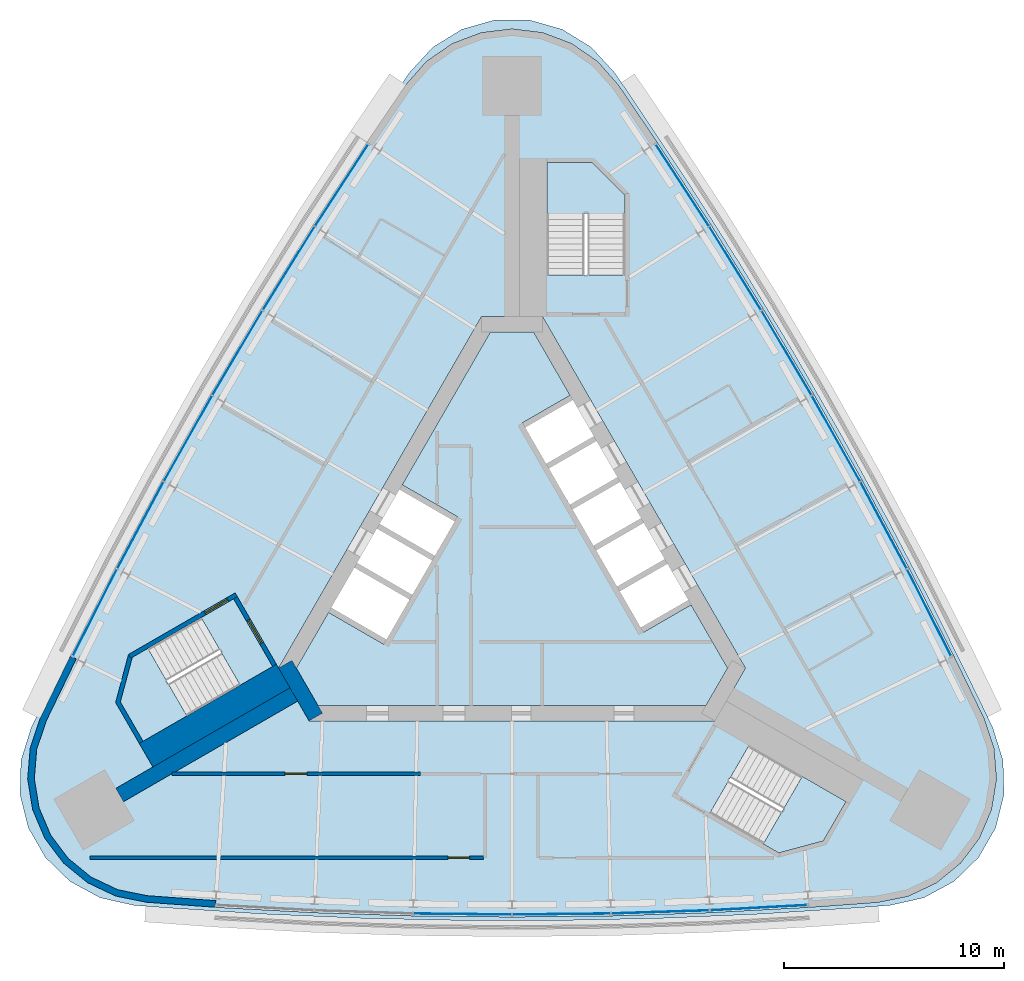
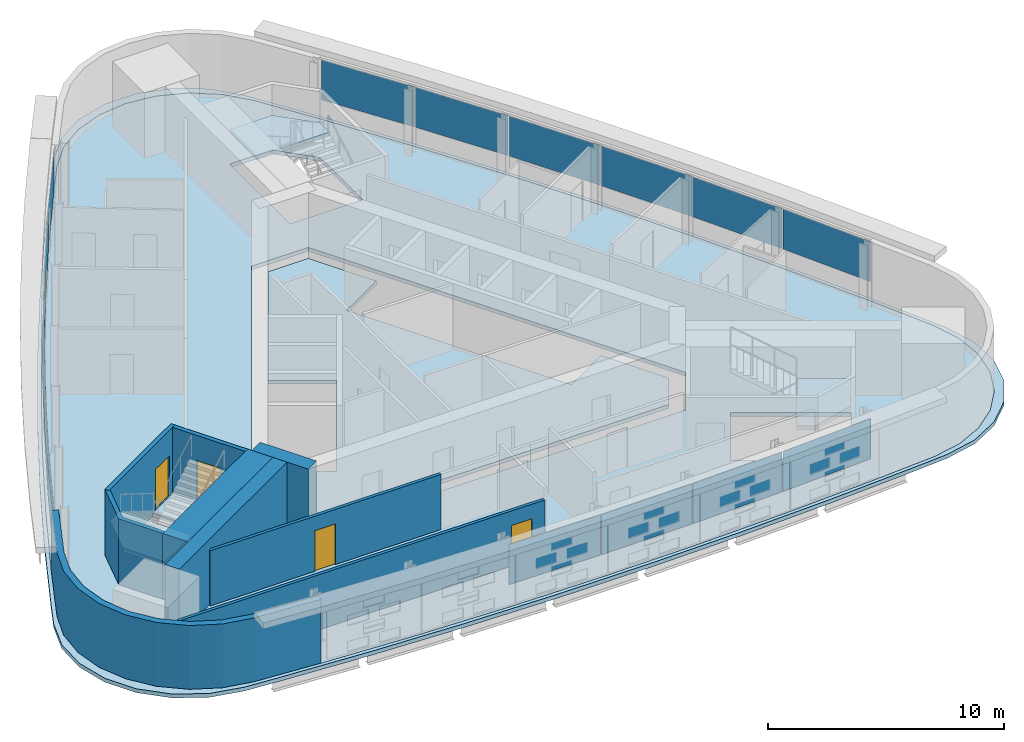
# One storey, part 6 of 10: 16 plates, 9 walls, 6 slabs, 4 doors, 4 openings, 6 elements without a shape of their own.
"""IFC4 building model written with IfcOpenShell, lengths in metres."""

import ifcopenshell
import ifcopenshell.guid

model = None  # the IFC model being written
_history = None  # IfcOwnerHistory: only IFC2X3 demands one
_inside = {}  # id of a spatial element -> (the spatial element, [elements in it])
_under = {}  # id of a project, library or spatial element -> (it, [spatial elements below it])
_declared = {}  # id of a project -> (the project, [libraries it declares])
_typed = {}  # id of a type object -> (the type object, [elements of that type])
_made_of = {}  # id of a material, layer set ... -> (it, [elements and type objects made of it])


def new_model(schema):
    """Start an empty IFC model of exactly this schema.

    Asked for "IFC4X3", IfcOpenShell would pick the latest addendum, in which some entities
    have other attributes; the version numbers below select the first issue.
    IFC2X3 requires an IfcOwnerHistory on every rooted entity: one is made here for all.
    """
    global model, _history
    if schema == "IFC4X3":
        model = ifcopenshell.file(schema_version=(4, 3, 0, 0))
    else:
        model = ifcopenshell.file(schema=schema)
    _inside.clear()
    _under.clear()
    _declared.clear()
    _typed.clear()
    _made_of.clear()
    _history = None
    if model.schema == "IFC2X3":
        org = make("IfcOrganization", Name="unknown")
        user = make(
            "IfcPersonAndOrganization",
            ThePerson=make("IfcPerson", FamilyName="unknown"),
            TheOrganization=org,
        )
        app = make(
            "IfcApplication",
            ApplicationDeveloper=org,
            Version="unknown",
            ApplicationFullName="unknown",
            ApplicationIdentifier="unknown",
        )
        _history = make(
            "IfcOwnerHistory",
            OwningUser=user,
            OwningApplication=app,
            ChangeAction="ADDED",
            CreationDate=0,
        )
    return model


def make(cls, **values):
    """One entity of the class cls with the attributes given. An attribute that is None is left unset."""
    return model.create_entity(
        cls, **{name: value for name, value in values.items() if value is not None}
    )


def rooted(cls, **values):
    """An entity with a GlobalId (a new one), such as an element, a storey or a relation."""
    return make(cls, GlobalId=ifcopenshell.guid.new(), OwnerHistory=_history, **values)


def si_unit(unit_type, name, prefix=None):
    """IfcSIUnit, for example si_unit("LENGTHUNIT", "METRE", prefix="MILLI")."""
    return make("IfcSIUnit", UnitType=unit_type, Prefix=prefix, Name=name)


def assignment(units):
    """IfcUnitAssignment: the units of a project."""
    return None if units is None else make("IfcUnitAssignment", Units=units)


def point(xyz):
    """IfcCartesianPoint."""
    return None if xyz is None else make("IfcCartesianPoint", Coordinates=xyz)


def direction(xyz):
    """IfcDirection."""
    return None if xyz is None else make("IfcDirection", DirectionRatios=xyz)


def frame(location, z_axis=None, x_axis=None):
    """IfcAxis2Placement3D, a coordinate frame: its origin and axes. An axis left out is left unset."""
    return make(
        "IfcAxis2Placement3D",
        Location=point(location),
        Axis=direction(z_axis),
        RefDirection=direction(x_axis),
    )


def frame_2d(location, x_axis=None):
    """IfcAxis2Placement2D, a coordinate frame in the plane: its origin and x axis."""
    return make(
        "IfcAxis2Placement2D", Location=point(location), RefDirection=direction(x_axis)
    )


def origin():
    """The frame at (0, 0, 0) with its axes left unset."""
    return frame((0.0, 0.0, 0.0))


def origin_2d():
    """The frame at (0, 0) in the plane with its x axis left unset."""
    return frame_2d((0.0, 0.0))


def place(relative_to, where):
    """IfcLocalPlacement: puts the frame where relative to a parent placement (None: the world)."""
    return make(
        "IfcLocalPlacement", PlacementRelTo=relative_to, RelativePlacement=where
    )


def context(
    kind, dimensions, precision=None, world=None, true_north=None, identifier=None
):
    """IfcGeometricRepresentationContext, for example the 3D "Model" context."""
    return make(
        "IfcGeometricRepresentationContext",
        ContextIdentifier=identifier,
        ContextType=kind,
        CoordinateSpaceDimension=dimensions,
        Precision=precision,
        WorldCoordinateSystem=world,
        TrueNorth=true_north,
    )


def subcontext(parent, identifier, kind, view, scale=None):
    """IfcGeometricRepresentationSubContext, for example "Body" below "Model"."""
    return make(
        "IfcGeometricRepresentationSubContext",
        ContextIdentifier=identifier,
        ContextType=kind,
        ParentContext=parent,
        TargetScale=scale,
        TargetView=view,
    )


def project(units=None, contexts=None):
    """IfcProject with its units and contexts."""
    return rooted(
        "IfcProject",
        Name="project",
        RepresentationContexts=contexts,
        UnitsInContext=assignment(units),
    )


def spatial(cls, under=None, at=None, **own):
    """A site, building, storey or space (cls), placed at a placement, below another one or the project."""
    s = rooted(cls, ObjectPlacement=at, **own)
    if under is not None:
        _under.setdefault(under.id(), (under, []))[1].append(s)
    return s


def polyline(points):
    """IfcPolyline through the points."""
    return make("IfcPolyline", Points=[point(p) for p in points])


def profile(cls, at=None, kind="AREA", **sizes):
    """A parametric profile (cls). Its sizes go by their IFC names, for example OverallWidth=200.0."""
    return make(cls, ProfileType=kind, Position=at, **sizes)


def rectangle(**sizes):
    """IfcRectangleProfileDef."""
    return profile("IfcRectangleProfileDef", **sizes)


def outline(outer, holes=None, kind="AREA"):
    """IfcArbitraryClosedProfileDef: a profile drawn as a closed curve; with holes, ...WithVoids."""
    if holes is None:
        return make("IfcArbitraryClosedProfileDef", ProfileType=kind, OuterCurve=outer)
    return make(
        "IfcArbitraryProfileDefWithVoids",
        ProfileType=kind,
        OuterCurve=outer,
        InnerCurves=holes,
    )


def extrude(swept, where, along, depth):
    """IfcExtrudedAreaSolid: the profile swept, set in the frame where, extruded along a direction by depth."""
    return make(
        "IfcExtrudedAreaSolid",
        SweptArea=swept,
        Position=where,
        ExtrudedDirection=direction(along),
        Depth=depth,
    )


def shape(context_of_items, identifier, shape_type, items):
    """IfcShapeRepresentation: the items that make up one representation, for example the "Body"."""
    return make(
        "IfcShapeRepresentation",
        ContextOfItems=context_of_items,
        RepresentationIdentifier=identifier,
        RepresentationType=shape_type,
        Items=items,
    )


def material(Name=None, Category=None):
    """IfcMaterial."""
    return make("IfcMaterial", Name=Name, Category=Category)


def layer(
    of_material, thickness, ventilated=None, Name=None, Category=None, Priority=None
):
    """IfcMaterialLayer: one layer of a wall or slab, of a material (None: an air gap)."""
    return make(
        "IfcMaterialLayer",
        Material=of_material,
        LayerThickness=thickness,
        IsVentilated=ventilated,
        Name=Name,
        Category=Category,
        Priority=Priority,
    )


def layer_set(layers, Name=None):
    """IfcMaterialLayerSet."""
    return make("IfcMaterialLayerSet", MaterialLayers=layers, LayerSetName=Name)


def made_of(thing, what):
    """Note that an element or type object is made of a material, layer set ...; save() writes the relation."""
    if what is not None:
        _made_of.setdefault(what.id(), (what, []))[1].append(thing)
    return thing


def type_object(cls, material=None, **own):
    """A type object (cls), such as IfcWallType, which elements share."""
    return made_of(rooted(cls, **own), material)


def element(
    cls,
    number,
    at=None,
    inside=None,
    cuts=None,
    type_object=None,
    material=None,
    context=None,
    identifier="Body",
    shape_type=None,
    held_by="IfcProductDefinitionShape",
    body=None,
    shapes=None,
    **own,
):
    """One element of the class cls, such as IfcWall. Its Tag is "e" and its number.

    at: its placement. inside: the storey or other place that contains it. cuts: it is an
    opening in that element (IfcRelVoidsElement). A single representation is given by context,
    identifier, shape_type and body (its items); several are given by shapes. held_by: the class
    of the entity that holds the representations. save() writes the other relations.
    """
    e = rooted(cls, Tag="e%d" % number, ObjectPlacement=at, **own)
    if body is not None:
        shapes = [shape(context, identifier, shape_type, body)]
    if shapes is not None:
        e.Representation = make(held_by, Representations=shapes)
    if inside is not None:
        _inside.setdefault(inside.id(), (inside, []))[1].append(e)
    if cuts is not None:
        rooted(
            "IfcRelVoidsElement", RelatingBuildingElement=cuts, RelatedOpeningElement=e
        )
    if type_object is not None:
        _typed.setdefault(type_object.id(), (type_object, []))[1].append(e)
    return made_of(e, material)


def fill(opening, filler):
    """IfcRelFillsElement: the door or window that sits in an opening."""
    return rooted(
        "IfcRelFillsElement",
        RelatingOpeningElement=opening,
        RelatedBuildingElement=filler,
    )


def aggregate(whole, parts):
    """IfcRelAggregates: a whole, such as a stair, and the parts it consists of."""
    return rooted("IfcRelAggregates", RelatingObject=whole, RelatedObjects=parts)


def save(model, path):
    """Write the relations noted so far, then the file.

    IfcRelAggregates (storeys below a building ...), IfcRelContainedInSpatialStructure (elements
    in a storey), IfcRelDefinesByType, IfcRelAssociatesMaterial and IfcRelDeclares: one each for
    every whole, place, type object, material and project.
    """
    for whole, parts in _under.values():
        aggregate(whole, parts)
    for where, things in _inside.values():
        rooted(
            "IfcRelContainedInSpatialStructure",
            RelatedElements=things,
            RelatingStructure=where,
        )
    for kind, things in _typed.values():
        rooted("IfcRelDefinesByType", RelatedObjects=things, RelatingType=kind)
    for what, things in _made_of.values():
        rooted("IfcRelAssociatesMaterial", RelatedObjects=things, RelatingMaterial=what)
    for by, libraries in _declared.values():
        rooted("IfcRelDeclares", RelatingContext=by, RelatedDefinitions=libraries)
    model.write(path)


model = new_model("IFC4")

# Units and contexts
model_context = context("Model", 3, precision=1e-05, world=origin(), true_north=direction((0.0, 1.0)))
body_context = subcontext(model_context, "Body", "Model", "MODEL_VIEW")
ifc_project = project(units=[si_unit("LENGTHUNIT", "METRE"), si_unit("AREAUNIT", "SQUARE_METRE"), si_unit("VOLUMEUNIT", "CUBIC_METRE"), si_unit("PLANEANGLEUNIT", "RADIAN"), si_unit("MASSUNIT", "GRAM", prefix="KILO")], contexts=[model_context])

# Site, building, storey
site_placement = place(None, origin())
site = spatial("IfcSite", under=ifc_project, at=site_placement, CompositionType="ELEMENT")
building_placement = place(site_placement, origin())
building = spatial("IfcBuilding", under=site, at=building_placement, Name="Noor Cloister Tower", CompositionType="ELEMENT")
storey_placement = place(building_placement, frame((0.0, 0.0, 192.300048828125)))
storey = spatial("IfcBuildingStorey", under=building, at=storey_placement, Name="L49", CompositionType="ELEMENT", Elevation=192.300048828125)

# Slabs
ifc_material_1 = material(Name="Concrete C40/50", Category="concrete")
ifc_layer_1 = layer(ifc_material_1, 0.199951171875)
ifc_layer_set_1 = layer_set([ifc_layer_1], Name="Core floor slab 200 C40/50")
slab_type_1 = type_object("IfcSlabType", Name="Core floor slab 200 C40/50", PredefinedType="FLOOR", material=ifc_layer_set_1)
slab_1_placement = place(storey_placement, frame((0.0, 0.0, -0.199951171875)))
element("IfcSlab", 1, at=slab_1_placement, inside=storey, type_object=slab_type_1, Name="Core floor L49", PredefinedType="FLOOR", context=body_context, shape_type="SweptSolid", body=[
    extrude(outline(polyline([(2.643798828125, 7.877197265625), (0.9814453125, 10.75634765625), (-0.9814453125, 10.75634765625), (-4.993896484375, 3.806884765625), (-2.482421875, 2.35693359375), (-5.832275390625, -3.4453125), (-8.34375, -1.995361328125), (-9.80615234375, -4.5283203125), (-8.82470703125, -6.228271484375), (8.82470703125, -6.228271484375), (9.80615234375, -4.5283203125), (8.143798828125, -1.64892578125), (5.978759765625, -2.89892578125), (0.478759765625, 6.627197265625), (2.643798828125, 7.877197265625)])), origin(), (0.0, 0.0, 1.0), 0.199951171875),
])
ifc_material_2 = material(Name="Concrete C40/50", Category="concrete")
ifc_layer_2 = layer(ifc_material_2, 0.199951171875)
ifc_layer_set_2 = layer_set([ifc_layer_2], Name="Floor slab 200 C40/50")
slab_type_2 = type_object("IfcSlabType", Name="Floor slab 200 C40/50", PredefinedType="FLOOR", material=ifc_layer_set_2)
slab_2_placement = place(storey_placement, frame((0.0, 0.0, -0.199951171875)))
element("IfcSlab", 2, at=slab_2_placement, inside=storey, type_object=slab_type_2, Name="Floor slab L49", PredefinedType="FLOOR", context=body_context, shape_type="SweptSolid", body=[
    extrude(outline(polyline([(4.82177734375, 21.9990234375), (3.88525390625, 23.056884765625), (2.72314453125, 23.859619140625), (1.40234375, 24.36083984375), (0.0, 24.531005859375), (-1.40234375, 24.36083984375), (-2.72314453125, 23.859619140625), (-3.88525390625, 23.056884765625), (-4.82177734375, 21.9990234375), (-6.59521484375, 19.38525390625), (-9.052490234375, 15.615478515625), (-11.427734375, 11.79345703125), (-13.7197265625, 7.921142578125), (-15.927490234375, 4.0), (-18.0498046875, 0.031982421875), (-20.085693359375, -3.98095703125), (-21.462646484375, -6.823974609375), (-21.910400390625, -8.16357421875), (-22.024658203125, -9.571533203125), (-21.798095703125, -10.966064453125), (-21.24462890625, -12.265625), (-20.39599609375, -13.394775390625), (-19.301513671875, -14.2880859375), (-18.025146484375, -14.893310546875), (-16.640869140625, -15.17529296875), (-13.490478515625, -15.404052734375), (-8.9970703125, -15.6474609375), (-4.499755859375, -15.79345703125), (0.0, -15.84228515625), (4.499755859375, -15.79345703125), (8.9970703125, -15.6474609375), (13.490478515625, -15.404052734375), (16.640869140625, -15.17529296875), (18.025146484375, -14.893310546875), (19.301513671875, -14.2880859375), (20.39599609375, -13.394775390625), (21.24462890625, -12.265625), (21.798095703125, -10.966064453125), (22.024658203125, -9.571533203125), (21.910400390625, -8.16357421875), (21.462646484375, -6.823974609375), (20.085693359375, -3.98095703125), (18.0498046875, 0.031982421875), (15.927490234375, 4.0), (13.7197265625, 7.921142578125), (11.427734375, 11.79345703125), (9.052490234375, 15.615478515625), (6.59521484375, 19.38525390625), (4.82177734375, 21.9990234375)]), holes=[polyline([(8.999755859375, -11.126220703125), (12.131591796875, -12.934326171875), (14.1572265625, -12.3916015625), (15.19091796875, -10.601318359375), (10.774658203125, -8.0517578125), (8.999755859375, -11.126220703125)]), polyline([(-17.81005859375, -6.064697265625), (-16.776611328125, -7.85498046875), (-12.3603515625, -5.305419921875), (-14.13525390625, -2.23095703125), (-16.662841796875, -3.690185546875), (-17.267333984375, -4.039306640625), (-17.81005859375, -6.064697265625)]), polyline([(-10.6142578125, -4.5283203125), (-9.228759765625, -6.92822265625), (9.228759765625, -6.92822265625), (10.6142578125, -4.5283203125), (1.3857421875, 11.456298828125), (-1.3857421875, 11.456298828125), (-10.6142578125, -4.5283203125)]), polyline([(3.65283203125, 18.456298828125), (1.585693359375, 18.456298828125), (1.585693359375, 13.35693359375), (5.135498046875, 13.35693359375), (5.135498046875, 16.9736328125), (3.65283203125, 18.456298828125)])]), origin(), (0.0, 0.0, 1.0), 0.199951171875),
])

# Curtain wall, plates
ifc_material_3 = material(Name="Aluminium 6063-T6 anodised", Category="aluminium")
curtain_wall_type = type_object("IfcCurtainWallType", Name="Ribbon curtain wall, upper tower CW5", PredefinedType="NOTDEFINED", material=ifc_material_3)
curtain_wall_1_placement = place(storey_placement, origin())
curtain_wall_1 = element("IfcCurtainWall", 3, at=curtain_wall_1_placement, inside=storey, type_object=curtain_wall_type, Name="CW5 L49 NW run 1", PredefinedType="NOTDEFINED")
ifc_material_4 = material(Name="Clear laminated glass 2 x 8 mm", Category="glass")
ifc_layer_3 = layer(ifc_material_4, 0.028076171875)
ifc_layer_set_3 = layer_set([ifc_layer_3], Name="Glass panel CW5")
plate_type = type_object("IfcPlateType", Name="Glass panel CW5", PredefinedType="CURTAIN_PANEL", material=ifc_layer_set_3)
plate_1_placement = place(storey_placement, frame((-7.749267578125, 17.431640625, 1.08984375), z_axis=(0.0, 0.0, 1.0), x_axis=(-0.546098188804, -0.837721175681, 0.0)))
plate_1 = element("IfcPlate", 4, at=plate_1_placement, type_object=plate_type, Name="CW5 glass panel 1", PredefinedType="CURTAIN_PANEL", context=body_context, shape_type="SweptSolid", body=[
    extrude(rectangle(XDim=4.413818359375, YDim=0.028076171875, at=origin_2d()), origin(), (0.0, 0.0, 1.0), 2.070068359375),
])
plate_2_placement = place(storey_placement, frame((-10.1552734375, 13.65185546875, 1.08984375), z_axis=(0.0, 0.0, 1.0), x_axis=(-0.527843214256, -0.84934182822, 0.0)))
plate_2 = element("IfcPlate", 5, at=plate_2_placement, type_object=plate_type, Name="CW5 glass panel 2", PredefinedType="CURTAIN_PANEL", context=body_context, shape_type="SweptSolid", body=[
    extrude(rectangle(XDim=4.44775390625, YDim=0.028076171875, at=origin_2d()), origin(), (0.0, 0.0, 1.0), 2.070068359375),
])
plate_3_placement = place(storey_placement, frame((-12.48779296875, 9.806396484375, 1.08984375), z_axis=(0.0, 0.0, 1.0), x_axis=(-0.509341059356, -0.860564747857, 0.0)))
plate_3 = element("IfcPlate", 6, at=plate_3_placement, type_object=plate_type, Name="CW5 glass panel 3", PredefinedType="CURTAIN_PANEL", context=body_context, shape_type="SweptSolid", body=[
    extrude(rectangle(XDim=4.44775390625, YDim=0.028076171875, at=origin_2d()), origin(), (0.0, 0.0, 1.0), 2.070068359375),
])
plate_4_placement = place(storey_placement, frame((-14.736328125, 5.911376953125, 1.08984375), z_axis=(0.0, 0.0, 1.0), x_axis=(-0.490600403568, -0.871384670521, 0.0)))
plate_4 = element("IfcPlate", 7, at=plate_4_placement, type_object=plate_type, Name="CW5 glass panel 4", PredefinedType="CURTAIN_PANEL", context=body_context, shape_type="SweptSolid", body=[
    extrude(rectangle(XDim=4.44775390625, YDim=0.028076171875, at=origin_2d()), origin(), (0.0, 0.0, 1.0), 2.070068359375),
])
plate_5_placement = place(storey_placement, frame((-16.900390625, 1.96875, 1.08984375), z_axis=(0.0, 0.0, 1.0), x_axis=(-0.471629992607, -0.881796546871, 0.0)))
plate_5 = element("IfcPlate", 8, at=plate_5_placement, type_object=plate_type, Name="CW5 glass panel 5", PredefinedType="CURTAIN_PANEL", context=body_context, shape_type="SweptSolid", body=[
    extrude(rectangle(XDim=4.44775390625, YDim=0.028076171875, at=origin_2d()), origin(), (0.0, 0.0, 1.0), 2.070068359375),
])
plate_6_placement = place(storey_placement, frame((-18.970703125, -2.004638671875, 1.08984375), z_axis=(0.0, 0.0, 1.0), x_axis=(-0.452438725026, -0.891795492306, 0.0)))
plate_6 = element("IfcPlate", 9, at=plate_6_placement, type_object=plate_type, Name="CW5 glass panel 6", PredefinedType="CURTAIN_PANEL", context=body_context, shape_type="SweptSolid", body=[
    extrude(rectangle(XDim=4.413818359375, YDim=0.028076171875, at=origin_2d()), origin(), (0.0, 0.0, 1.0), 2.070068359375),
])
aggregate(curtain_wall_1, [plate_1, plate_2, plate_3, plate_4, plate_5, plate_6])

curtain_wall_2_placement = place(storey_placement, origin())
curtain_wall_2 = element("IfcCurtainWall", 10, at=curtain_wall_2_placement, inside=storey, type_object=curtain_wall_type, Name="CW5 L49 S run 2", PredefinedType="NOTDEFINED")
plate_7_placement = place(storey_placement, frame((-2.248779296875, -15.7177734375, 1.08984375), z_axis=(0.0, 0.0, 1.0), x_axis=(0.999941462923, -0.010819922664, 0.0)))
plate_7 = element("IfcPlate", 11, at=plate_7_placement, type_object=plate_type, Name="CW5 glass panel 3", PredefinedType="CURTAIN_PANEL", context=body_context, shape_type="SweptSolid", body=[
    extrude(rectangle(XDim=4.44775390625, YDim=0.028076171875, at=origin_2d()), origin(), (0.0, 0.0, 1.0), 2.070068359375),
])
plate_8_placement = place(storey_placement, frame((2.248779296875, -15.7177734375, 1.08984375), z_axis=(0.0, 0.0, 1.0), x_axis=(0.999941462923, 0.010819922664, 0.0)))
plate_8 = element("IfcPlate", 12, at=plate_8_placement, type_object=plate_type, Name="CW5 glass panel 4", PredefinedType="CURTAIN_PANEL", context=body_context, shape_type="SweptSolid", body=[
    extrude(rectangle(XDim=4.44775390625, YDim=0.028076171875, at=origin_2d()), origin(), (0.0, 0.0, 1.0), 2.070068359375),
])
plate_9_placement = place(storey_placement, frame((6.7451171875, -15.62060546875, 1.08984375), z_axis=(0.0, 0.0, 1.0), x_axis=(0.999473206863, 0.032454718651, 0.0)))
plate_9 = element("IfcPlate", 13, at=plate_9_placement, type_object=plate_type, Name="CW5 glass panel 5", PredefinedType="CURTAIN_PANEL", context=body_context, shape_type="SweptSolid", body=[
    extrude(rectangle(XDim=4.44775390625, YDim=0.028076171875, at=origin_2d()), origin(), (0.0, 0.0, 1.0), 2.070068359375),
])
plate_10_placement = place(storey_placement, frame((11.221435546875, -15.4267578125, 1.08984375), z_axis=(0.0, 0.0, 1.0), x_axis=(0.99853691383, 0.054074316624, 0.0)))
plate_10 = element("IfcPlate", 14, at=plate_10_placement, type_object=plate_type, Name="CW5 glass panel 6", PredefinedType="CURTAIN_PANEL", context=body_context, shape_type="SweptSolid", body=[
    extrude(rectangle(XDim=4.413818359375, YDim=0.028076171875, at=origin_2d()), origin(), (0.0, 0.0, 1.0), 2.070068359375),
])
aggregate(curtain_wall_2, [plate_7, plate_8, plate_9, plate_10])

curtain_wall_3_placement = place(storey_placement, origin())
curtain_wall_3 = element("IfcCurtainWall", 15, at=curtain_wall_3_placement, inside=storey, type_object=curtain_wall_type, Name="CW5 L49 NE run 3", PredefinedType="NOTDEFINED")
plate_11_placement = place(storey_placement, frame((18.970703125, -2.004638671875, 1.08984375), z_axis=(0.0, 0.0, 1.0), x_axis=(-0.452438725026, 0.891795492306, 0.0)))
plate_11 = element("IfcPlate", 16, at=plate_11_placement, type_object=plate_type, Name="CW5 glass panel 1", PredefinedType="CURTAIN_PANEL", context=body_context, shape_type="SweptSolid", body=[
    extrude(rectangle(XDim=4.413818359375, YDim=0.028076171875, at=origin_2d()), origin(), (0.0, 0.0, 1.0), 2.070068359375),
])
plate_12_placement = place(storey_placement, frame((16.900390625, 1.96875, 1.08984375), z_axis=(0.0, 0.0, 1.0), x_axis=(-0.471629992607, 0.881796546871, 0.0)))
plate_12 = element("IfcPlate", 17, at=plate_12_placement, type_object=plate_type, Name="CW5 glass panel 2", PredefinedType="CURTAIN_PANEL", context=body_context, shape_type="SweptSolid", body=[
    extrude(rectangle(XDim=4.44775390625, YDim=0.028076171875, at=origin_2d()), origin(), (0.0, 0.0, 1.0), 2.070068359375),
])
plate_13_placement = place(storey_placement, frame((14.736328125, 5.911376953125, 1.08984375), z_axis=(0.0, 0.0, 1.0), x_axis=(-0.490600403568, 0.871384670521, 0.0)))
plate_13 = element("IfcPlate", 18, at=plate_13_placement, type_object=plate_type, Name="CW5 glass panel 3", PredefinedType="CURTAIN_PANEL", context=body_context, shape_type="SweptSolid", body=[
    extrude(rectangle(XDim=4.44775390625, YDim=0.028076171875, at=origin_2d()), origin(), (0.0, 0.0, 1.0), 2.070068359375),
])
plate_14_placement = place(storey_placement, frame((12.48779296875, 9.806396484375, 1.08984375), z_axis=(0.0, 0.0, 1.0), x_axis=(-0.509341059356, 0.860564747857, 0.0)))
plate_14 = element("IfcPlate", 19, at=plate_14_placement, type_object=plate_type, Name="CW5 glass panel 4", PredefinedType="CURTAIN_PANEL", context=body_context, shape_type="SweptSolid", body=[
    extrude(rectangle(XDim=4.44775390625, YDim=0.028076171875, at=origin_2d()), origin(), (0.0, 0.0, 1.0), 2.070068359375),
])
plate_15_placement = place(storey_placement, frame((10.1552734375, 13.65185546875, 1.08984375), z_axis=(0.0, 0.0, 1.0), x_axis=(-0.527843214256, 0.84934182822, 0.0)))
plate_15 = element("IfcPlate", 20, at=plate_15_placement, type_object=plate_type, Name="CW5 glass panel 5", PredefinedType="CURTAIN_PANEL", context=body_context, shape_type="SweptSolid", body=[
    extrude(rectangle(XDim=4.44775390625, YDim=0.028076171875, at=origin_2d()), origin(), (0.0, 0.0, 1.0), 2.070068359375),
])
plate_16_placement = place(storey_placement, frame((7.749267578125, 17.431640625, 1.08984375), z_axis=(0.0, 0.0, 1.0), x_axis=(-0.546098188804, 0.837721175681, 0.0)))
plate_16 = element("IfcPlate", 21, at=plate_16_placement, type_object=plate_type, Name="CW5 glass panel 6", PredefinedType="CURTAIN_PANEL", context=body_context, shape_type="SweptSolid", body=[
    extrude(rectangle(XDim=4.413818359375, YDim=0.028076171875, at=origin_2d()), origin(), (0.0, 0.0, 1.0), 2.070068359375),
])
aggregate(curtain_wall_3, [plate_11, plate_12, plate_13, plate_14, plate_15, plate_16])

# Slab
ifc_material_5 = material(Name="Concrete C40/50", Category="concrete")
ifc_layer_4 = layer(ifc_material_5, 0.199951171875)
ifc_layer_set_4 = layer_set([ifc_layer_4], Name="Ledge roof 200 C40/50")
slab_type_3 = type_object("IfcSlabType", Name="Ledge roof 200 C40/50", PredefinedType="ROOF", material=ifc_layer_set_4)
slab_3_placement = place(storey_placement, frame((0.0, 0.0, -0.199951171875)))
element("IfcSlab", 22, at=slab_3_placement, inside=storey, type_object=slab_type_3, Name="Ledge roof L49", PredefinedType="ROOF", context=body_context, shape_type="SweptSolid", body=[
    extrude(outline(polyline([(5.494384765625, 21.341552734375), (4.659423828125, 22.556884765625), (3.60498046875, 23.70361328125), (2.278076171875, 24.52001953125), (0.779052734375, 24.9443359375), (-0.779052734375, 24.9443359375), (-2.278076171875, 24.52001953125), (-3.60498046875, 23.70361328125), (-4.659423828125, 22.556884765625), (-5.494384765625, 21.341552734375), (-7.98974609375, 17.59716796875), (-10.404541015625, 13.7998046875), (-12.7373046875, 9.951904296875), (-14.9873046875, 6.054931640625), (-17.1533203125, 2.110595703125), (-19.234375, -1.879150390625), (-21.2294921875, -5.91259765625), (-21.864501953125, -7.2431640625), (-22.330322265625, -8.72998046875), (-22.3740234375, -10.287109375), (-21.991943359375, -11.797607421875), (-21.212890625, -13.146728515625), (-20.095947265625, -14.23291015625), (-18.7255859375, -14.973876953125), (-17.205078125, -15.3134765625), (-15.7353515625, -15.428955078125), (-11.24462890625, -15.7177734375), (-6.748779296875, -15.910400390625), (-2.25, -16.0068359375), (2.25, -16.0068359375), (6.748779296875, -15.910400390625), (11.24462890625, -15.7177734375), (15.7353515625, -15.428955078125), (17.205078125, -15.3134765625), (18.7255859375, -14.973876953125), (20.095947265625, -14.23291015625), (21.212890625, -13.146728515625), (21.991943359375, -11.797607421875), (22.3740234375, -10.287109375), (22.330322265625, -8.72998046875), (21.864501953125, -7.2431640625), (21.2294921875, -5.91259765625), (19.234375, -1.879150390625), (17.1533203125, 2.110595703125), (14.9873046875, 6.054931640625), (12.7373046875, 9.951904296875), (10.404541015625, 13.7998046875), (7.98974609375, 17.59716796875), (5.494384765625, 21.341552734375)]), holes=[polyline([(2.72314453125, 23.859619140625), (1.40234375, 24.36083984375), (0.0, 24.531005859375), (-1.40234375, 24.36083984375), (-2.72314453125, 23.859619140625), (-3.88525390625, 23.056884765625), (-4.82177734375, 21.9990234375), (-6.59521484375, 19.38525390625), (-9.052490234375, 15.615478515625), (-11.427734375, 11.79345703125), (-13.7197265625, 7.921142578125), (-15.927490234375, 4.0), (-18.0498046875, 0.031982421875), (-20.085693359375, -3.98095703125), (-21.462646484375, -6.823974609375), (-21.910400390625, -8.16357421875), (-22.024658203125, -9.571533203125), (-21.798095703125, -10.966064453125), (-21.24462890625, -12.265625), (-20.39599609375, -13.394775390625), (-19.301513671875, -14.2880859375), (-18.025146484375, -14.893310546875), (-16.640869140625, -15.17529296875), (-13.490478515625, -15.404052734375), (-8.9970703125, -15.6474609375), (-4.499755859375, -15.79345703125), (0.0, -15.84228515625), (4.499755859375, -15.79345703125), (8.9970703125, -15.6474609375), (13.490478515625, -15.404052734375), (16.640869140625, -15.17529296875), (18.025146484375, -14.893310546875), (19.301513671875, -14.2880859375), (20.39599609375, -13.394775390625), (21.24462890625, -12.265625), (21.798095703125, -10.966064453125), (22.024658203125, -9.571533203125), (21.910400390625, -8.16357421875), (21.462646484375, -6.823974609375), (20.085693359375, -3.98095703125), (18.0498046875, 0.031982421875), (15.927490234375, 4.0), (13.7197265625, 7.921142578125), (11.427734375, 11.79345703125), (9.052490234375, 15.615478515625), (6.59521484375, 19.38525390625), (4.82177734375, 21.9990234375), (3.88525390625, 23.056884765625), (2.72314453125, 23.859619140625)])]), origin(), (0.0, 0.0, 1.0), 0.199951171875),
])

# Stair, slab
ifc_material_6 = material(Name="Concrete C40/50", Category="concrete")
stair_type = type_object("IfcStairType", Name="Exit stair 22 risers", PredefinedType="HALF_TURN_STAIR", material=ifc_material_6)
stair_1_placement = place(storey_placement, origin())
stair_1 = element("IfcStair", 23, at=stair_1_placement, inside=storey, type_object=stair_type, Name="Exit stair ST1 L49", PredefinedType="HALF_TURN_STAIR")
ifc_material_7 = material(Name="Concrete C40/50", Category="concrete")
ifc_layer_5 = layer(ifc_material_7, 0.199951171875)
ifc_layer_set_5 = layer_set([ifc_layer_5], Name="Stair landing 200 C40/50")
slab_type_4 = type_object("IfcSlabType", Name="Stair landing 200 C40/50", PredefinedType="LANDING", material=ifc_layer_set_5)
slab_4_placement = place(storey_placement, frame((0.0, 0.0, 1.599853515625)))
slab_4 = element("IfcSlab", 24, at=slab_4_placement, type_object=slab_type_4, Name="ST1 landing 1", PredefinedType="LANDING", context=body_context, shape_type="SweptSolid", body=[
    extrude(outline(polyline([(5.135498046875, 16.15576171875), (5.135498046875, 16.9736328125), (3.65283203125, 18.456298828125), (1.585693359375, 18.456298828125), (1.585693359375, 16.15576171875), (5.135498046875, 16.15576171875)])), origin(), (0.0, 0.0, 1.0), 0.2001953125),
])
aggregate(stair_1, [slab_4])

stair_2_placement = place(storey_placement, origin())
stair_2 = element("IfcStair", 25, at=stair_2_placement, inside=storey, type_object=stair_type, Name="Exit stair ST2 L49", PredefinedType="HALF_TURN_STAIR")
slab_5_placement = place(storey_placement, frame((0.0, 0.0, 1.599853515625)))
slab_5 = element("IfcSlab", 26, at=slab_5_placement, type_object=slab_type_4, Name="ST2 landing 1", PredefinedType="LANDING", context=body_context, shape_type="SweptSolid", body=[
    extrude(outline(polyline([(-16.55908203125, -3.63037109375), (-17.267333984375, -4.039306640625), (-17.81005859375, -6.064697265625), (-16.776611328125, -7.85498046875), (-14.7841796875, -6.70458984375), (-16.55908203125, -3.63037109375)])), origin(), (0.0, 0.0, 1.0), 0.2001953125),
])
aggregate(stair_2, [slab_5])

stair_3_placement = place(storey_placement, origin())
stair_3 = element("IfcStair", 27, at=stair_3_placement, inside=storey, type_object=stair_type, Name="Exit stair ST3 L49", PredefinedType="HALF_TURN_STAIR")
slab_6_placement = place(storey_placement, frame((0.0, 0.0, 1.599853515625)))
slab_6 = element("IfcSlab", 28, at=slab_6_placement, type_object=slab_type_4, Name="ST3 landing 1", PredefinedType="LANDING", context=body_context, shape_type="SweptSolid", body=[
    extrude(outline(polyline([(11.423583984375, -12.525390625), (12.131591796875, -12.934326171875), (14.1572265625, -12.3916015625), (15.19091796875, -10.601318359375), (13.198486328125, -9.451171875), (11.423583984375, -12.525390625)])), origin(), (0.0, 0.0, 1.0), 0.2001953125),
])
aggregate(stair_3, [slab_6])

# Walls
ifc_material_8 = material(Name="Concrete C70/85", Category="concrete")
ifc_layer_6 = layer(ifc_material_8, 0.699951171875)
ifc_layer_set_6 = layer_set([ifc_layer_6], Name="Buttress wall 700 C70/85")
wall_type_1 = type_object("IfcWallType", Name="Buttress wall 700 C70/85", PredefinedType="SHEAR", material=ifc_layer_set_6)
wall_1_placement = place(storey_placement, frame((-9.921630859375, -5.728271484375, -0.199951171875), z_axis=(0.0, 0.0, 1.0), x_axis=(-0.866026421479, -0.499998237297, 0.0)))
element("IfcWall", 29, at=wall_1_placement, inside=storey, type_object=wall_type_1, Name="Buttress wall SW L49", PredefinedType="SHEAR", context=body_context, shape_type="SweptSolid", body=[
    extrude(rectangle(XDim=9.14453125, YDim=0.699951171875, at=frame_2d((4.572265625, 0.0))), origin(), (0.0, 0.0, 1.0), 3.599853515625),
])
ifc_material_9 = material(Name="Concrete C70/85", Category="concrete")
ifc_layer_7 = layer(ifc_material_9, 0.699951171875)
ifc_layer_set_7 = layer_set([ifc_layer_7], Name="Core wall 700 C70/85")
wall_type_2 = type_object("IfcWallType", Name="Core wall 700 C70/85", PredefinedType="SHEAR", material=ifc_layer_set_7)
wall_2_placement = place(storey_placement, frame((-10.311279296875, -4.353271484375, -0.199951171875), z_axis=(0.0, 0.0, 1.0), x_axis=(0.500042739161, -0.866000726912, 0.0)))
element("IfcWall", 30, at=wall_2_placement, inside=storey, type_object=wall_type_2, Name="Core wall L49 6", PredefinedType="SHEAR", context=body_context, shape_type="SweptSolid", body=[
    extrude(rectangle(XDim=2.771240234375, YDim=0.699951171875, at=frame_2d((1.3857421875, 0.0))), origin(), (0.0, 0.0, 1.0), 3.599853515625),
])

# Wall, opening, door
ifc_material_10 = material(Name="Gypsum board partition on steel studs, 150 mm", Category="steel")
ifc_layer_8 = layer(ifc_material_10, 0.14990234375)
ifc_layer_set_8 = layer_set([ifc_layer_8], Name="Flat wall 150")
wall_type_3 = type_object("IfcWallType", Name="Flat wall 150", PredefinedType="PARTITIONING", material=ifc_layer_set_8)
wall_3_placement = place(storey_placement, frame((-15.45703125, -9.328125, 0.0), z_axis=(0.0, 0.0, 1.0), x_axis=(1.0, 0.0, 0.0)))
wall_3 = element("IfcWall", 31, at=wall_3_placement, inside=storey, type_object=wall_type_3, Name="Wall L49-W11", PredefinedType="PARTITIONING", context=body_context, shape_type="SweptSolid", body=[
    extrude(rectangle(XDim=11.29736328125, YDim=0.14990234375, at=frame_2d((5.648681640625, 0.0))), origin(), (0.0, 0.0, 1.0), 2.85205078125),
])
opening_1_placement = place(wall_3_placement, frame((5.12353515625, 0.0, 0.0)))
opening_1 = element("IfcOpeningElement", 32, at=opening_1_placement, cuts=wall_3, Name="Opening L49-009", PredefinedType="OPENING", context=body_context, shape_type="SweptSolid", body=[
    extrude(rectangle(XDim=1.0, YDim=2.10009765625, at=frame_2d((0.5, 1.050048828125))), frame((0.0, 0.0849609375, 0.0), z_axis=(0.0, -1.0, 0.0), x_axis=(1.0, 0.0, 0.0)), (0.0, 0.0, 1.0), 0.169921875),
])
ifc_material_11 = material(Name="Timber door leaf with steel frame", Category="steel")
door_type_1 = type_object("IfcDoorType", Name="Interior door 1000 FD60", OperationType="NOTDEFINED", PredefinedType="DOOR", material=ifc_material_11)
door_1_placement = place(opening_1_placement, origin())
door_1 = element("IfcDoor", 33, at=door_1_placement, inside=storey, type_object=door_type_1, Name="Door L49-009", OperationType="SINGLE_SWING_LEFT", OverallHeight=2.10009765625, OverallWidth=1.0, PredefinedType="DOOR", context=body_context, shape_type="SweptSolid", body=[
    extrude(rectangle(XDim=1.0, YDim=2.10009765625, at=frame_2d((0.5, 1.050048828125))), frame((0.0, 0.02490234375, 0.0), z_axis=(0.0, -1.0, 0.0), x_axis=(1.0, 0.0, 0.0)), (0.0, 0.0, 1.0), 0.050048828125),
])
fill(opening_1, door_1)

wall_4_placement = place(storey_placement, frame((-19.18701171875, -13.156005859375, 0.0), z_axis=(0.0, 0.0, 1.0), x_axis=(1.0, 0.0, 0.0)))
wall_4 = element("IfcWall", 34, at=wall_4_placement, inside=storey, type_object=wall_type_3, Name="Wall L49-W16", PredefinedType="PARTITIONING", context=body_context, shape_type="SweptSolid", body=[
    extrude(rectangle(XDim=17.890625, YDim=0.14990234375, at=frame_2d((8.9453125, 0.0))), origin(), (0.0, 0.0, 1.0), 2.85205078125),
])
opening_2_placement = place(wall_4_placement, frame((16.265625, 0.0, 0.0)))
opening_2 = element("IfcOpeningElement", 35, at=opening_2_placement, cuts=wall_4, Name="Opening L49-008", PredefinedType="OPENING", context=body_context, shape_type="SweptSolid", body=[
    extrude(rectangle(XDim=1.0, YDim=2.10009765625, at=frame_2d((0.5, 1.050048828125))), frame((0.0, 0.0849609375, 0.0), z_axis=(0.0, -1.0, 0.0), x_axis=(1.0, 0.0, 0.0)), (0.0, 0.0, 1.0), 0.169921875),
])
door_2_placement = place(opening_2_placement, origin())
door_2 = element("IfcDoor", 36, at=door_2_placement, inside=storey, type_object=door_type_1, Name="Door L49-008", OperationType="SINGLE_SWING_RIGHT", OverallHeight=2.10009765625, OverallWidth=1.0, PredefinedType="DOOR", context=body_context, shape_type="SweptSolid", body=[
    extrude(rectangle(XDim=1.0, YDim=2.10009765625, at=frame_2d((0.5, 1.050048828125))), frame((0.0, 0.02490234375, 0.0), z_axis=(0.0, -1.0, 0.0), x_axis=(1.0, 0.0, 0.0)), (0.0, 0.0, 1.0), 0.050048828125),
])
fill(opening_2, door_2)

# Walls
ifc_material_12 = material(Name="Limestone", Category="masonry")
ifc_layer_9 = layer(ifc_material_12, 0.300048828125)
ifc_layer_set_9 = layer_set([ifc_layer_9], Name="Limestone cladding 300")
wall_type_4 = type_object("IfcWallType", Name="Limestone cladding 300", PredefinedType="NOTDEFINED", material=ifc_layer_set_9)
wall_5_placement = place(storey_placement, origin())
element("IfcWall", 37, at=wall_5_placement, inside=storey, type_object=wall_type_4, Name="Limestone pier cladding L49 1.1", PredefinedType="NOTDEFINED", context=body_context, shape_type="SweptSolid", body=[
    extrude(outline(polyline([(-20.085693359375, -3.98095703125), (-21.462646484375, -6.823974609375), (-21.910400390625, -8.16357421875), (-22.024658203125, -9.571533203125), (-21.798095703125, -10.966064453125), (-21.24462890625, -12.265625), (-20.39599609375, -13.394775390625), (-19.301513671875, -14.2880859375), (-18.025146484375, -14.893310546875), (-16.640869140625, -15.17529296875), (-13.490478515625, -15.404052734375), (-13.46875, -15.10498046875), (-16.60009765625, -14.87744140625), (-17.929443359375, -14.6064453125), (-19.14013671875, -14.032470703125), (-20.177978515625, -13.185546875), (-20.98291015625, -12.114501953125), (-21.5078125, -10.8818359375), (-21.72265625, -9.5595703125), (-21.614501953125, -8.22412109375), (-21.184326171875, -6.937255859375), (-19.815673828125, -4.11181640625), (-20.085693359375, -3.98095703125)])), origin(), (0.0, 0.0, 1.0), 3.300048828125),
])
ifc_material_13 = material(Name="Concrete C70/85", Category="concrete")
ifc_layer_10 = layer(ifc_material_13, 1.236083984375)
ifc_layer_set_10 = layer_set([ifc_layer_10], Name="Stair enclosure wall 1236 C70/85")
wall_type_5 = type_object("IfcWallType", Name="Stair enclosure wall 1236 C70/85", PredefinedType="SHEAR", material=ifc_layer_set_10)
wall_6_placement = place(storey_placement, frame((-10.405517578125, -4.889892578125, -0.199951171875), z_axis=(0.0, 0.0, 1.0), x_axis=(-0.866018442252, -0.500012057535, 0.0)))
element("IfcWall", 38, at=wall_6_placement, inside=storey, type_object=wall_type_5, Name="Stair enclosure wall ST2 L49 riser side", PredefinedType="SHEAR", context=body_context, shape_type="SweptSolid", body=[
    extrude(rectangle(XDim=7.199951171875, YDim=1.235595703125, at=frame_2d((3.60009765625, 0.0))), origin(), (0.0, 0.0, 1.0), 3.599853515625),
])

# Wall, opening, door
ifc_material_14 = material(Name="Concrete C70/85", Category="concrete")
ifc_layer_11 = layer(ifc_material_14, 0.199951171875)
ifc_layer_set_11 = layer_set([ifc_layer_11], Name="Stair enclosure wall 200 C70/85")
wall_type_6 = type_object("IfcWallType", Name="Stair enclosure wall 200 C70/85", PredefinedType="SHEAR", material=ifc_layer_set_11)
wall_7_placement = place(storey_placement, frame((-12.575927734375, -1.33056640625, -0.199951171875), z_axis=(0.0, 0.0, 1.0), x_axis=(0.499970499736, -0.8660424351, 0.0)))
wall_7 = element("IfcWall", 39, at=wall_7_placement, inside=storey, type_object=wall_type_6, Name="Stair enclosure wall ST2 L49 near end", PredefinedType="SHEAR", context=body_context, shape_type="SweptSolid", body=[
    extrude(rectangle(XDim=3.550048828125, YDim=0.199951171875, at=frame_2d((1.77490234375, 0.0))), origin(), (0.0, 0.0, 1.0), 3.599853515625),
])
opening_3_placement = place(wall_7_placement, frame((1.175048828125, 0.0, 0.199951171875)))
opening_3 = element("IfcOpeningElement", 40, at=opening_3_placement, cuts=wall_7, Name="Opening L49-ST2L", PredefinedType="OPENING", context=body_context, shape_type="SweptSolid", body=[
    extrude(rectangle(XDim=1.199951171875, YDim=2.10009765625, at=frame_2d((0.60009765625, 1.050048828125))), frame((0.0, 0.10986328125, 0.0), z_axis=(0.0, -1.0, 0.0), x_axis=(1.0, 0.0, 0.0)), (0.0, 0.0, 1.0), 0.219970703125),
])
ifc_material_15 = material(Name="Steel", Category="steel")
door_type_2 = type_object("IfcDoorType", Name="Stair door 1200 x 2100 FD120", OperationType="SINGLE_SWING_LEFT", PredefinedType="DOOR", material=ifc_material_15)
door_3_placement = place(opening_3_placement, origin())
door_3 = element("IfcDoor", 41, at=door_3_placement, inside=storey, type_object=door_type_2, Name="Stair door ST2 L49", OperationType="SINGLE_SWING_RIGHT", OverallHeight=2.10009765625, OverallWidth=1.199951171875, PredefinedType="DOOR", context=body_context, shape_type="SweptSolid", body=[
    extrude(rectangle(XDim=1.199951171875, YDim=2.10009765625, at=frame_2d((0.60009765625, 1.050048828125))), frame((0.0, 0.02490234375, 0.0), z_axis=(0.0, -1.0, 0.0), x_axis=(1.0, 0.0, 0.0)), (0.0, 0.0, 1.0), 0.050048828125),
])
fill(opening_3, door_3)

wall_8_placement = place(storey_placement, frame((-12.539306640625, -1.194091796875, -0.199951171875), z_axis=(0.0, 0.0, 1.0), x_axis=(-0.866045472092, -0.499965239061, 0.0)))
wall_8 = element("IfcWall", 42, at=wall_8_placement, inside=storey, type_object=wall_type_6, Name="Stair enclosure wall ST2 L49 outer side", PredefinedType="SHEAR", context=body_context, shape_type="SweptSolid", body=[
    extrude(rectangle(XDim=5.60009765625, YDim=0.199951171875, at=frame_2d((2.800048828125, 0.0))), origin(), (0.0, 0.0, 1.0), 3.599853515625),
])
opening_4_placement = place(wall_8_placement, frame((0.449951171875, 0.0, 0.199951171875)))
opening_4 = element("IfcOpeningElement", 43, at=opening_4_placement, cuts=wall_8, Name="Opening L49-ST2C", PredefinedType="OPENING", context=body_context, shape_type="SweptSolid", body=[
    extrude(rectangle(XDim=1.199951171875, YDim=2.10009765625, at=frame_2d((0.60009765625, 1.050048828125))), frame((0.0, 0.10986328125, 0.0), z_axis=(0.0, -1.0, 0.0), x_axis=(1.0, 0.0, 0.0)), (0.0, 0.0, 1.0), 0.219970703125),
])
door_4_placement = place(opening_4_placement, origin())
door_4 = element("IfcDoor", 44, at=door_4_placement, inside=storey, type_object=door_type_2, Name="Stair door ST2 L49", OperationType="SINGLE_SWING_LEFT", OverallHeight=2.10009765625, OverallWidth=1.199951171875, PredefinedType="DOOR", context=body_context, shape_type="SweptSolid", body=[
    extrude(rectangle(XDim=1.199951171875, YDim=2.10009765625, at=frame_2d((0.60009765625, 1.050048828125))), frame((0.0, 0.02490234375, 0.0), z_axis=(0.0, -1.0, 0.0), x_axis=(1.0, 0.0, 0.0)), (0.0, 0.0, 1.0), 0.050048828125),
])
fill(opening_4, door_4)

# Wall
ifc_material_16 = material(Name="Concrete C70/85", Category="concrete")
wall_type_7 = type_object("IfcWallType", Name="Stair far end wall C70/85", PredefinedType="SHEAR", material=ifc_material_16)
wall_9_placement = place(storey_placement, frame((0.0, 0.0, -0.199951171875)))
element("IfcWall", 45, at=wall_9_placement, inside=storey, type_object=wall_type_7, Name="Stair enclosure wall ST2 L49 far end", PredefinedType="SHEAR", context=body_context, shape_type="SweptSolid", body=[
    extrude(outline(polyline([(-17.439208984375, -3.907470703125), (-18.024658203125, -6.093017578125), (-16.94970703125, -7.955078125), (-16.776611328125, -7.85498046875), (-17.81005859375, -6.064697265625), (-17.267333984375, -4.039306640625), (-17.339111328125, -4.08056640625), (-17.339111328125, -4.08056640625), (-17.339111328125, -4.08056640625), (-17.339111328125, -4.08056640625), (-17.339111328125, -4.08056640625), (-17.339111328125, -4.08056640625), (-17.339111328125, -4.08056640625), (-17.339111328125, -4.08056640625), (-17.339111328125, -4.08056640625), (-17.339111328125, -4.08056640625), (-17.339111328125, -4.08056640625), (-17.339111328125, -4.08056640625), (-17.339111328125, -4.08056640625), (-17.339111328125, -4.08056640625), (-17.339111328125, -4.08056640625), (-17.339111328125, -4.08056640625), (-17.339111328125, -4.08056640625), (-17.439208984375, -3.907470703125)])), origin(), (0.0, 0.0, 1.0), 3.599853515625),
])

save(model, "model.ifc")
